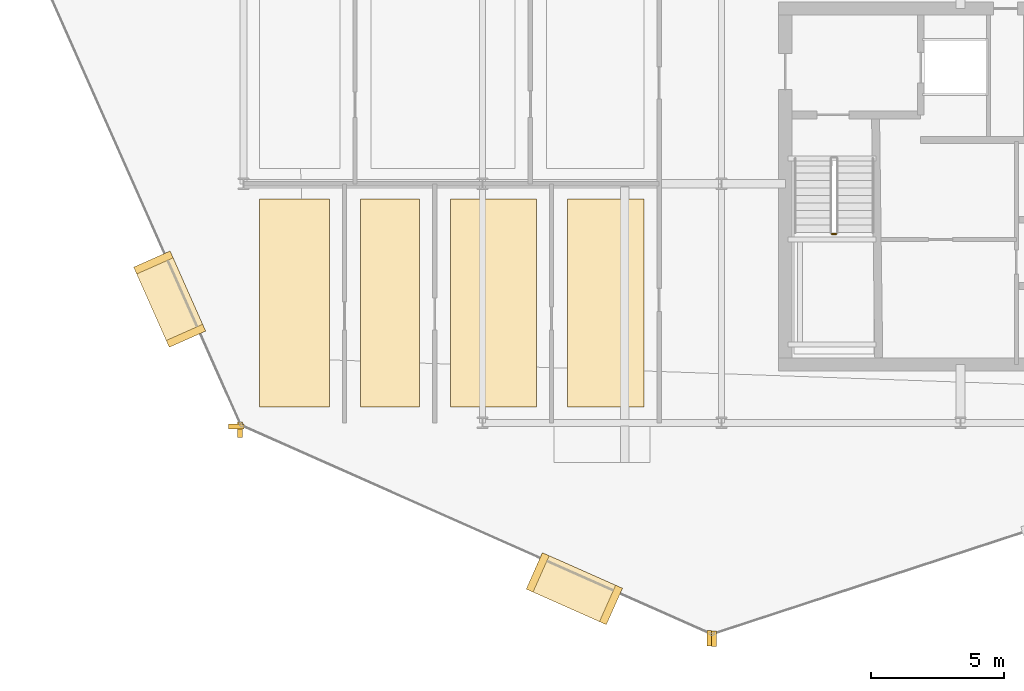
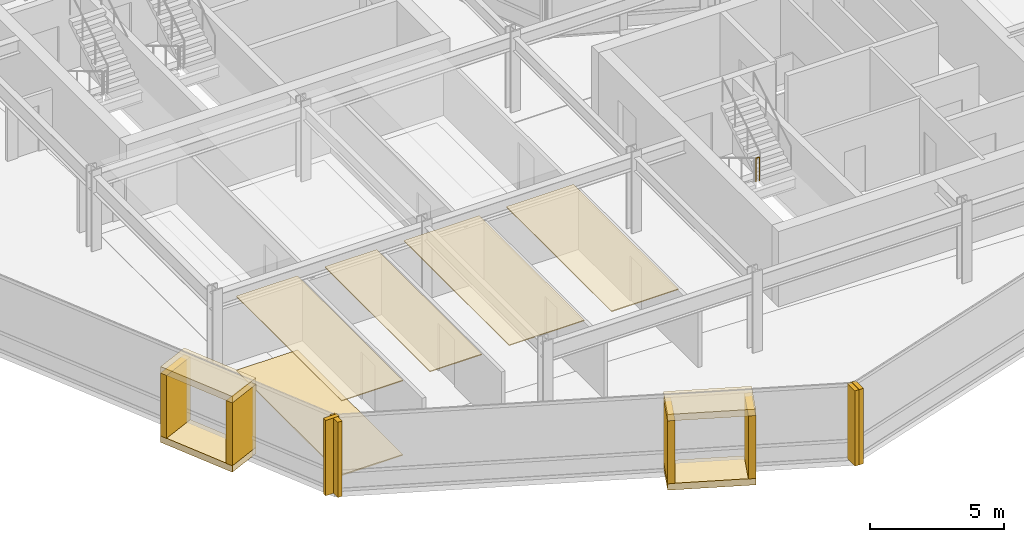
# One storey, part 24 of 28: 17 coverings, 1 railing.
"""IFC4 building model written with IfcOpenShell, lengths in metres."""

from ifc_helpers import new_model, si_unit, direction, frame, origin, origin_2d, place, context, subcontext, project, spatial, polyline, rectangle, circle, outline, extrude, material, layer, layer_set, type_object, element, save


model = new_model("IFC4")

# Units and contexts
model_context = context("Model", 3, precision=1e-05, world=origin(), true_north=direction((0.0, 1.0)))
body_context = subcontext(model_context, "Body", "Model", "MODEL_VIEW")
ifc_project = project(units=[si_unit("LENGTHUNIT", "METRE"), si_unit("AREAUNIT", "SQUARE_METRE"), si_unit("VOLUMEUNIT", "CUBIC_METRE"), si_unit("PLANEANGLEUNIT", "RADIAN"), si_unit("MASSUNIT", "GRAM", prefix="KILO")], contexts=[model_context])

# Site, building, storey
site_placement = place(None, origin())
site = spatial("IfcSite", under=ifc_project, at=site_placement, CompositionType="ELEMENT")
building_placement = place(site_placement, origin())
building = spatial("IfcBuilding", under=site, at=building_placement, Name="Solvaryn Broadcast Tower", CompositionType="ELEMENT")
storey_placement = place(building_placement, frame((0.0, 0.0, 150.699951171875)))
storey = spatial("IfcBuildingStorey", under=building, at=storey_placement, Name="L37", CompositionType="ELEMENT", Elevation=150.699951171875)

# Coverings
ifc_material_1 = material(Name="Micro-Perforated Acoustic Gypsum Ceiling", Category="concrete")
ifc_layer_1 = layer(ifc_material_1, 0.0400390625)
ifc_layer_set_1 = layer_set([ifc_layer_1], Name="CV-CEIL-ACOUSTIC")
covering_type_1 = type_object("IfcCoveringType", Name="CV-CEIL-ACOUSTIC", PredefinedType="CEILING", material=ifc_layer_set_1)
covering_1_placement = place(storey_placement, frame((0.0, 0.0, 3.380126953125)))
element("IfcCovering", 1, at=covering_1_placement, inside=storey, type_object=covering_type_1, Name="L37 Room Acoustic Ceiling 4", PredefinedType="CEILING", context=body_context, shape_type="SweptSolid", body=[
    extrude(outline(polyline([(9.60009765625, 9.60009765625), (12.22998046875, 9.60009765625), (12.22998046875, 17.429931640625), (9.60009765625, 17.429931640625), (9.60009765625, 9.60009765625)])), origin(), (0.0, 0.0, 1.0), 0.0400390625),
])
covering_2_placement = place(storey_placement, frame((0.0, 0.0, 3.380126953125)))
element("IfcCovering", 2, at=covering_2_placement, inside=storey, type_object=covering_type_1, Name="L37 Room Acoustic Ceiling 5", PredefinedType="CEILING", context=body_context, shape_type="SweptSolid", body=[
    extrude(outline(polyline([(13.39990234375, 9.60009765625), (15.6298828125, 9.60009765625), (15.6298828125, 17.429931640625), (13.39990234375, 17.429931640625), (13.39990234375, 9.60009765625)])), origin(), (0.0, 0.0, 1.0), 0.0400390625),
])
covering_3_placement = place(storey_placement, frame((0.0, 0.0, 3.380126953125)))
element("IfcCovering", 3, at=covering_3_placement, inside=storey, type_object=covering_type_1, Name="L37 Room Acoustic Ceiling 6", PredefinedType="CEILING", context=body_context, shape_type="SweptSolid", body=[
    extrude(outline(polyline([(16.800048828125, 9.60009765625), (20.030029296875, 9.60009765625), (20.030029296875, 17.429931640625), (16.800048828125, 17.429931640625), (16.800048828125, 9.60009765625)])), origin(), (0.0, 0.0, 1.0), 0.0400390625),
])
covering_4_placement = place(storey_placement, frame((0.0, 0.0, 3.380126953125)))
element("IfcCovering", 4, at=covering_4_placement, inside=storey, type_object=covering_type_1, Name="L37 Room Acoustic Ceiling 7", PredefinedType="CEILING", context=body_context, shape_type="SweptSolid", body=[
    extrude(outline(polyline([(21.199951171875, 9.60009765625), (24.080078125, 9.60009765625), (24.080078125, 17.429931640625), (21.199951171875, 17.429931640625), (21.199951171875, 9.60009765625)])), origin(), (0.0, 0.0, 1.0), 0.0400390625),
])
ifc_material_2 = material(Name="Newsroom Raised Data Access Flooring", Category="steel")
ifc_layer_2 = layer(ifc_material_2, 0.050048828125)
ifc_layer_set_2 = layer_set([ifc_layer_2], Name="CV-FLOOR-RAISED")
covering_type_2 = type_object("IfcCoveringType", Name="CV-FLOOR-RAISED", PredefinedType="FLOORING", material=ifc_layer_set_2)
covering_5_placement = place(storey_placement, origin())
element("IfcCovering", 5, at=covering_5_placement, inside=storey, type_object=covering_type_2, Name="L37 Room Acoustic Floor Finish 4", PredefinedType="FLOORING", context=body_context, shape_type="SweptSolid", body=[
    extrude(outline(polyline([(9.60009765625, 9.60009765625), (12.22998046875, 9.60009765625), (12.22998046875, 17.429931640625), (9.60009765625, 17.429931640625), (9.60009765625, 9.60009765625)])), origin(), (0.0, 0.0, 1.0), 0.050048828125),
])
ifc_material_3 = material(Name="Glazed Architectural Terracotta Rainscreen Cladding", Category="masonry")
ifc_layer_3 = layer(ifc_material_3, 0.280029296875)
ifc_layer_set_3 = layer_set([ifc_layer_3], Name="CV-TC-CLAD")
covering_type_3 = type_object("IfcCoveringType", Name="CV-TC-CLAD", PredefinedType="CLADDING", material=ifc_layer_set_3)
for number, where, z_axis, x_axis, name in (
    (6, (6.218994140625, 13.656982421875, 3.1298828125), (0.0, 0.0, 1.0), (0.405939269498, -0.913900054426, 0.0), "L37 Projecting Stone Window Box Hood 2"),
    (7, (6.218994140625, 13.656982421875, -0.009765625), (0.0, 0.0, 1.0), (0.405939269498, -0.913900054426, 0.0), "L37 Projecting Stone Window Box Sill 2"),
):
    element("IfcCovering", number, at=place(storey_placement, frame(where, z_axis=z_axis, x_axis=x_axis)), inside=storey, type_object=covering_type_3, Name=name, PredefinedType="CLADDING", context=body_context, shape_type="SweptSolid", body=[
        extrude(rectangle(XDim=3.300048828125, YDim=1.5, at=origin_2d()), origin(), (0.0, 0.0, 1.0), 0.300048828125),
    ])
for number, where, z_axis, x_axis, name in (
    (8, (5.60595703125, 15.037109375, 0.27978515625), (0.0, 0.0, 1.0), (0.405939269498, -0.913900054426, 0.0), "L37 Projecting Stone Window Box Cheek 2-1"),
    (9, (6.83203125, 12.277099609375, 0.27978515625), (0.0, 0.0, 1.0), (0.405939269498, -0.913900054426, 0.0), "L37 Projecting Stone Window Box Cheek 2-2"),
):
    element("IfcCovering", number, at=place(storey_placement, frame(where, z_axis=z_axis, x_axis=x_axis)), inside=storey, type_object=covering_type_3, Name=name, PredefinedType="CLADDING", context=body_context, shape_type="SweptSolid", body=[
        extrude(rectangle(XDim=0.280029296875, YDim=1.5, at=origin_2d()), origin(), (0.0, 0.0, 1.0), 2.860107421875),
    ])
for number, where, z_axis, x_axis, name in (
    (10, (21.45703125, 2.75390625, 3.1298828125), (0.0, 0.0, 1.0), (0.913900054426, -0.405939269498, 0.0), "L37 Projecting Stone Window Box Hood 3"),
    (11, (21.45703125, 2.75390625, -0.009765625), (0.0, 0.0, 1.0), (0.913900054426, -0.405939269498, 0.0), "L37 Projecting Stone Window Box Sill 3"),
):
    element("IfcCovering", number, at=place(storey_placement, frame(where, z_axis=z_axis, x_axis=x_axis)), inside=storey, type_object=covering_type_3, Name=name, PredefinedType="CLADDING", context=body_context, shape_type="SweptSolid", body=[
        extrude(rectangle(XDim=3.300048828125, YDim=1.5, at=origin_2d()), origin(), (0.0, 0.0, 1.0), 0.300048828125),
    ])
for number, where, z_axis, x_axis, name in (
    (12, (20.076904296875, 3.366943359375, 0.27978515625), (0.0, 0.0, 1.0), (0.913900054426, -0.405939269498, 0.0), "L37 Projecting Stone Window Box Cheek 3-1"),
    (13, (22.8369140625, 2.14111328125, 0.27978515625), (0.0, 0.0, 1.0), (0.913900054426, -0.405939269498, 0.0), "L37 Projecting Stone Window Box Cheek 3-2"),
):
    element("IfcCovering", number, at=place(storey_placement, frame(where, z_axis=z_axis, x_axis=x_axis)), inside=storey, type_object=covering_type_3, Name=name, PredefinedType="CLADDING", context=body_context, shape_type="SweptSolid", body=[
        extrude(rectangle(XDim=0.280029296875, YDim=1.5, at=origin_2d()), origin(), (0.0, 0.0, 1.0), 2.860107421875),
    ])
ifc_material_4 = material(Name="Extruded Architectural Terracotta Fin", Category="masonry")
ifc_layer_4 = layer(ifc_material_4, 0.179931640625)
ifc_layer_set_4 = layer_set([ifc_layer_4], Name="CV-TC-FIN")
covering_type_4 = type_object("IfcCoveringType", Name="CV-TC-FIN", PredefinedType="USERDEFINED", material=ifc_layer_set_4)
covering_6_placement = place(storey_placement, frame((8.731689453125, 8.86279296875, 0.0), z_axis=(0.0, 0.0, 1.0), x_axis=(1.0, 0.0, 0.0)))
element("IfcCovering", 14, at=covering_6_placement, inside=storey, type_object=covering_type_4, Name="L37 Terracotta Vertical Fin FIN-L37-DR2-M01", ObjectType="FIN", PredefinedType="USERDEFINED", context=body_context, shape_type="SweptSolid", body=[
    extrude(rectangle(XDim=0.580078125, YDim=0.179931640625, at=origin_2d()), origin(), (0.0, 0.0, 1.0), 3.419921875),
])
for number, where, z_axis, x_axis, name in (
    (15, (8.86279296875, 8.731689453125, 0.0), (0.0, 0.0, 1.0), (1.0, 0.0, 0.0), "L37 Terracotta Vertical Fin FIN-L37-DR3-M00"),
    (16, (26.535888671875, 0.8818359375, 0.0), (0.0, 0.0, 1.0), (1.0, 0.0, 0.0), "L37 Terracotta Vertical Fin FIN-L37-DR3-M01"),
    (17, (26.720703125, 0.872314453125, 0.0), (0.0, 0.0, 1.0), (1.0, 0.0, 0.0), "L37 Terracotta Vertical Fin FIN-L37-DR4-M00"),
):
    element("IfcCovering", number, at=place(storey_placement, frame(where, z_axis=z_axis, x_axis=x_axis)), inside=storey, type_object=covering_type_4, Name=name, ObjectType="FIN", PredefinedType="USERDEFINED", context=body_context, shape_type="SweptSolid", body=[
        extrude(rectangle(XDim=0.179931640625, YDim=0.580078125, at=origin_2d()), origin(), (0.0, 0.0, 1.0), 3.419921875),
    ])

# Railing
ifc_material_5 = material(Name="Painted Steel Stair Well Guard", Category="steel")
railing_type = type_object("IfcRailingType", Name="RL-STAIR-GUARD", PredefinedType="BALUSTRADE", material=ifc_material_5)
railing_placement = place(storey_placement, frame((31.159912109375, 16.110107421875, 1.85009765625)))
element("IfcRailing", 18, at=railing_placement, inside=storey, type_object=railing_type, Name="L37 ST3 stair guard 2", PredefinedType="BALUSTRADE", context=body_context, shape_type="SweptSolid", body=[
    extrude(circle(Radius=0.02392578125, at=origin_2d()), frame((0.0, 0.0, 1.076171875), z_axis=(1.0, 0.0, 0.0), x_axis=(0.0, 1.0, 0.0)), (0.0, 0.0, 1.0), 0.150146484375),
    extrude(circle(Radius=0.02099609375, at=origin_2d()), origin(), (0.0, 0.0, 1.0), 1.052001953125),
    extrude(circle(Radius=0.02099609375, at=origin_2d()), frame((0.150146484375, 0.0, 0.0)), (0.0, 0.0, 1.0), 1.052001953125),
])

save(model, "model.ifc")
